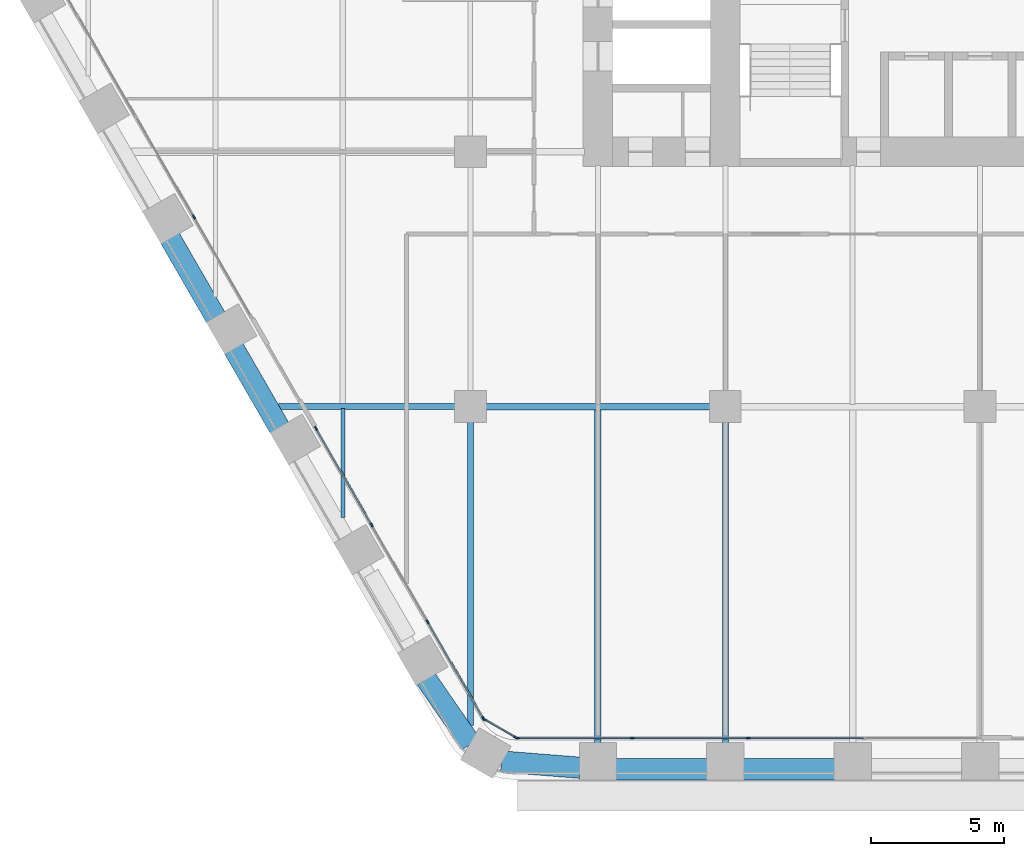
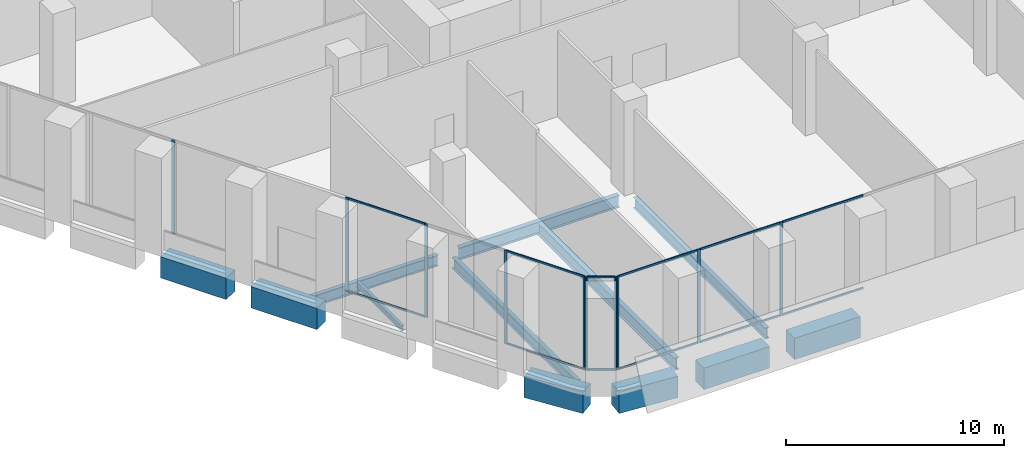
# One storey, part 2 of 27: 22 members, 12 beams, 4 elements without a shape of their own.
"""IFC4 building model written with IfcOpenShell, lengths in metres."""

from ifc_helpers import new_model, si_unit, direction, frame, origin, origin_2d, place, context, subcontext, project, spatial, rectangle, i_section, extrude, material, material_profile, profile_set, type_object, element, aggregate, save


model = new_model("IFC4")

# Units and contexts
model_context = context("Model", 3, precision=1e-05, world=origin(), true_north=direction((0.0, 1.0)))
body_context = subcontext(model_context, "Body", "Model", "MODEL_VIEW")
ifc_project = project(units=[si_unit("LENGTHUNIT", "METRE"), si_unit("AREAUNIT", "SQUARE_METRE"), si_unit("VOLUMEUNIT", "CUBIC_METRE"), si_unit("PLANEANGLEUNIT", "RADIAN"), si_unit("MASSUNIT", "GRAM", prefix="KILO")], contexts=[model_context])

# Site, building, storey
site_placement = place(None, origin())
site = spatial("IfcSite", under=ifc_project, at=site_placement, CompositionType="ELEMENT")
building_placement = place(site_placement, origin())
building = spatial("IfcBuilding", under=site, at=building_placement, Name="Kolab Exchange Tower", CompositionType="ELEMENT")
storey_placement = place(building_placement, frame((0.0, 0.0, 22.39990234375)))
storey = spatial("IfcBuildingStorey", under=building, at=storey_placement, Name="L04", CompositionType="ELEMENT", Elevation=22.39990234375)

# Beams
ifc_material_1 = material(Name="Steel S355", Category="steel")
ifc_material_profile_1 = material_profile(ifc_material_1, i_section(OverallWidth=0.1650390625, OverallDepth=0.31005859375, WebThickness=0.005859375, FlangeThickness=0.009765625, at=origin_2d()), Name="W310X39")
ifc_profile_set_1 = profile_set([ifc_material_profile_1], Name="Steel S355")
beam_type_1 = type_object("IfcBeamType", Name="FLOOR BEAM W310X39", PredefinedType="BEAM", material=ifc_profile_set_1)
beam_1_placement = place(storey_placement, frame((-24.0, -23.381591796875, -0.40478515625), z_axis=(0.0, 1.0, 0.0), x_axis=(-1.0, 0.0, 0.0)))
element("IfcBeam", 1, at=beam_1_placement, inside=storey, type_object=beam_type_1, Name="beam/L04/fr/006", PredefinedType="BEAM", context=body_context, shape_type="SweptSolid", body=[
    extrude(i_section(OverallWidth=0.1650390625, OverallDepth=0.31005859375, WebThickness=0.005859375, FlangeThickness=0.009765625, at=origin_2d()), origin(), (0.0, 0.0, 1.0), 4.107666015625),
])
ifc_material_profile_2 = material_profile(ifc_material_1, i_section(OverallWidth=0.22802734375, OverallDepth=0.60791015625, WebThickness=0.01123046875, FlangeThickness=0.017333984375, at=origin_2d()), Name="W610X113")
ifc_profile_set_2 = profile_set([ifc_material_profile_2], Name="Steel S355")
beam_type_2 = type_object("IfcBeamType", Name="FLOOR BEAM W610X113", PredefinedType="BEAM", material=ifc_profile_set_2)
beam_2_placement = place(storey_placement, frame((-19.199951171875, -31.214599609375, -0.553955078125), z_axis=(0.0, 1.0, 0.0), x_axis=(-1.0, 0.0, 0.0)))
element("IfcBeam", 2, at=beam_2_placement, inside=storey, type_object=beam_type_2, Name="beam/L04/fr/012", PredefinedType="BEAM", context=body_context, shape_type="SweptSolid", body=[
    extrude(i_section(OverallWidth=0.22802734375, OverallDepth=0.60791015625, WebThickness=0.01123046875, FlangeThickness=0.017333984375, at=origin_2d()), origin(), (0.0, 0.0, 1.0), 11.45458984375),
])
beam_3_placement = place(storey_placement, frame((-9.60009765625, -31.8955078125, -0.553955078125), z_axis=(0.0, 1.0, 0.0), x_axis=(-1.0, 0.0, 0.0)))
element("IfcBeam", 3, at=beam_3_placement, inside=storey, type_object=beam_type_2, Name="beam/L04/fr/022", PredefinedType="BEAM", context=body_context, shape_type="SweptSolid", body=[
    extrude(i_section(OverallWidth=0.22802734375, OverallDepth=0.60791015625, WebThickness=0.01123046875, FlangeThickness=0.017333984375, at=origin_2d()), origin(), (0.0, 0.0, 1.0), 12.135498046875),
])
ifc_material_profile_3 = material_profile(ifc_material_1, i_section(OverallWidth=0.25390625, OverallDepth=0.68408203125, WebThickness=0.012451171875, FlangeThickness=0.018798828125, at=origin_2d()), Name="W690X140")
ifc_profile_set_3 = profile_set([ifc_material_profile_3], Name="Steel S355")
beam_type_3 = type_object("IfcBeamType", Name="FLOOR BEAM W690X140", PredefinedType="BEAM", material=ifc_profile_set_3)
beam_4_placement = place(storey_placement, frame((-14.39990234375, -31.8955078125, -0.591796875), z_axis=(0.0, 1.0, 0.0), x_axis=(-1.0, 0.0, 0.0)))
element("IfcBeam", 4, at=beam_4_placement, inside=storey, type_object=beam_type_3, Name="beam/L04/fr/018", PredefinedType="BEAM", context=body_context, shape_type="SweptSolid", body=[
    extrude(i_section(OverallWidth=0.25390625, OverallDepth=0.68408203125, WebThickness=0.012451171875, FlangeThickness=0.018798828125, at=origin_2d()), origin(), (0.0, 0.0, 1.0), 12.6083984375),
])
ifc_material_profile_4 = material_profile(ifc_material_1, i_section(OverallWidth=0.22802734375, OverallDepth=0.60791015625, WebThickness=0.01123046875, FlangeThickness=0.017333984375, at=origin_2d()), Name="W610X113")
ifc_profile_set_4 = profile_set([ifc_material_profile_4], Name="Steel S355")
beam_type_4 = type_object("IfcBeamType", Name="FLOOR GIRDER W610X113", PredefinedType="BEAM", material=ifc_profile_set_4)
beam_5_placement = place(storey_placement, frame((-26.43115234375, -19.199951171875, -0.553955078125), z_axis=(1.0, 0.0, 0.0), x_axis=(0.0, 1.0, 0.0)))
element("IfcBeam", 5, at=beam_5_placement, inside=storey, type_object=beam_type_4, Name="beam/L04/gd/004", PredefinedType="BEAM", context=body_context, shape_type="SweptSolid", body=[
    extrude(i_section(OverallWidth=0.22802734375, OverallDepth=0.60791015625, WebThickness=0.01123046875, FlangeThickness=0.017333984375, at=origin_2d()), origin(), (0.0, 0.0, 1.0), 6.671142578125),
])
ifc_material_profile_5 = material_profile(ifc_material_1, i_section(OverallWidth=0.25390625, OverallDepth=0.68408203125, WebThickness=0.012451171875, FlangeThickness=0.018798828125, at=origin_2d()), Name="W690X140")
ifc_profile_set_5 = profile_set([ifc_material_profile_5], Name="Steel S355")
beam_type_5 = type_object("IfcBeamType", Name="FLOOR GIRDER W690X140", PredefinedType="BEAM", material=ifc_profile_set_5)
beam_6_placement = place(storey_placement, frame((-18.639892578125, -19.199951171875, -0.591796875), z_axis=(1.0, 0.0, 0.0), x_axis=(0.0, 1.0, 0.0)))
element("IfcBeam", 6, at=beam_6_placement, inside=storey, type_object=beam_type_5, Name="beam/L04/gd/006", PredefinedType="BEAM", context=body_context, shape_type="SweptSolid", body=[
    extrude(i_section(OverallWidth=0.25390625, OverallDepth=0.68408203125, WebThickness=0.012451171875, FlangeThickness=0.018798828125, at=origin_2d()), origin(), (0.0, 0.0, 1.0), 8.47998046875),
])
ifc_material_2 = material(Name="Concrete C80/95", Category="concrete")
ifc_material_profile_6 = material_profile(ifc_material_2, rectangle(XDim=0.800048828125, YDim=1.199951171875, at=origin_2d()), Name="RC800X1200")
ifc_profile_set_6 = profile_set([ifc_material_profile_6], Name="Concrete C80/95")
beam_type_6 = type_object("IfcBeamType", Name="SPANDREL BEAM 800X1200 C80/95", PredefinedType="BEAM", material=ifc_profile_set_6)
for number, where, z_axis, x_axis, name in (
    (7, (-5.4599609375, -32.85546875, -0.849853515625), (-1.0, 0.0, 0.0), (0.0, -1.0, 0.0), "beam/L04/sp/F4-06"),
    (8, (-10.260009765625, -32.85546875, -0.849853515625), (-1.0, 0.0, 0.0), (0.0, -1.0, 0.0), "beam/L04/sp/F4-07"),
):
    element("IfcBeam", number, at=place(storey_placement, frame(where, z_axis=z_axis, x_axis=x_axis)), inside=storey, type_object=beam_type_6, Name=name, PredefinedType="BEAM", context=body_context, shape_type="SweptSolid", body=[
        extrude(rectangle(XDim=0.800048828125, YDim=1.199951171875, at=origin_2d()), origin(), (0.0, 0.0, 1.0), 3.47998046875),
    ])
beam_7_placement = place(storey_placement, frame((-15.06005859375, -32.802734375, -0.849853515625), z_axis=(-0.996833978278, 0.07951112973, 0.0), x_axis=(-0.07951112973, -0.996833978278, 0.0)))
element("IfcBeam", 9, at=beam_7_placement, inside=storey, type_object=beam_type_6, Name="beam/L04/sp/F4-08", PredefinedType="BEAM", context=body_context, shape_type="SweptSolid", body=[
    extrude(rectangle(XDim=0.800048828125, YDim=1.199951171875, at=origin_2d()), origin(), (0.0, 0.0, 1.0), 2.984619140625),
])
beam_8_placement = place(storey_placement, frame((-19.18505859375, -31.901611328125, -0.849853515625), z_axis=(-0.567247290755, 0.823547516013, 0.0), x_axis=(-0.823547516013, -0.567247290755, 0.0)))
element("IfcBeam", 10, at=beam_8_placement, inside=storey, type_object=beam_type_6, Name="beam/L04/sp/F5-01", PredefinedType="BEAM", context=body_context, shape_type="SweptSolid", body=[
    extrude(rectangle(XDim=0.800048828125, YDim=1.199951171875, at=origin_2d()), origin(), (0.0, 0.0, 1.0), 2.984375),
])
beam_9_placement = place(storey_placement, frame((-26.383544921875, -20.012939453125, -0.849853515625), z_axis=(-0.500009906705, 0.86601968407, 0.0), x_axis=(-0.86601968407, -0.500009906705, 0.0)))
element("IfcBeam", 11, at=beam_9_placement, inside=storey, type_object=beam_type_6, Name="beam/L04/sp/F5-04", PredefinedType="BEAM", context=body_context, shape_type="SweptSolid", body=[
    extrude(rectangle(XDim=0.800048828125, YDim=1.199951171875, at=origin_2d()), origin(), (0.0, 0.0, 1.0), 3.47998046875),
])
beam_10_placement = place(storey_placement, frame((-28.78369140625, -15.856201171875, -0.849853515625), z_axis=(-0.499979528911, 0.866037222451, 0.0), x_axis=(-0.866037222451, -0.499979528911, 0.0)))
element("IfcBeam", 12, at=beam_10_placement, inside=storey, type_object=beam_type_6, Name="beam/L04/sp/F5-05", PredefinedType="BEAM", context=body_context, shape_type="SweptSolid", body=[
    extrude(rectangle(XDim=0.800048828125, YDim=1.199951171875, at=origin_2d()), origin(), (0.0, 0.0, 1.0), 3.480224609375),
])

# Curtain wall, members
ifc_material_3 = material(Name="Aluminium EN AW-6063 T6", Category="aluminium")
curtain_wall_type = type_object("IfcCurtainWallType", Name="UNITISED LOW ZONE CURTAIN WALL", PredefinedType="NOTDEFINED", material=ifc_material_3)
curtain_wall_1_placement = place(storey_placement, origin())
curtain_wall_1 = element("IfcCurtainWall", 13, at=curtain_wall_1_placement, inside=storey, type_object=curtain_wall_type, Name="cw/L04/F4-2", PredefinedType="NOTDEFINED")
ifc_material_profile_7 = material_profile(ifc_material_3, rectangle(XDim=0.06005859375, YDim=0.159912109375, at=origin_2d()), Name="RECT 60X160")
ifc_profile_set_7 = profile_set([ifc_material_profile_7], Name="Aluminium EN AW-6063 T6")
member_type_1 = type_object("IfcMemberType", Name="UNITISED LOW ZONE MULLION 60 X 160", PredefinedType="MULLION", material=ifc_profile_set_7)
member_1_placement = place(storey_placement, frame((-8.73388671875, -31.67529296875, 0.0), z_axis=(0.0, 0.0, 1.0), x_axis=(0.0, -1.0, 0.0)))
member_1 = element("IfcMember", 14, at=member_1_placement, type_object=member_type_1, Name="CW1 mullion 3", PredefinedType="MULLION", context=body_context, shape_type="SweptSolid", body=[
    extrude(rectangle(XDim=0.06005859375, YDim=0.159912109375, at=origin_2d()), origin(), (0.0, 0.0, 1.0), 5.25),
])
member_2_placement = place(storey_placement, frame((-13.10107421875, -31.67529296875, 0.0), z_axis=(0.0, 0.0, 1.0), x_axis=(0.0, -1.0, 0.0)))
member_2 = element("IfcMember", 15, at=member_2_placement, type_object=member_type_1, Name="CW1 mullion 4", PredefinedType="MULLION", context=body_context, shape_type="SweptSolid", body=[
    extrude(rectangle(XDim=0.06005859375, YDim=0.159912109375, at=origin_2d()), origin(), (0.0, 0.0, 1.0), 5.25),
])
member_3_placement = place(storey_placement, frame((-17.43798828125, -31.67529296875, 0.0), z_axis=(0.0, 0.0, 1.0), x_axis=(0.0, -1.0, 0.0)))
member_3 = element("IfcMember", 16, at=member_3_placement, type_object=member_type_1, Name="CW1 mullion 5", PredefinedType="MULLION", context=body_context, shape_type="SweptSolid", body=[
    extrude(rectangle(XDim=0.06005859375, YDim=0.159912109375, at=origin_2d()), origin(), (0.0, 0.0, 1.0), 5.25),
])

curtain_wall_2_placement = place(storey_placement, origin())
curtain_wall_2 = element("IfcCurtainWall", 17, at=curtain_wall_2_placement, inside=storey, type_object=curtain_wall_type, Name="cw/L04/F5-1", PredefinedType="NOTDEFINED")
member_4_placement = place(storey_placement, frame((-18.712646484375, -30.939453125, 0.0), z_axis=(0.0, 0.0, 1.0), x_axis=(-0.866025393644, -0.500000017564, 0.0)))
member_4 = element("IfcMember", 18, at=member_4_placement, type_object=member_type_1, Name="CW1 mullion 1", PredefinedType="MULLION", context=body_context, shape_type="SweptSolid", body=[
    extrude(rectangle(XDim=0.06005859375, YDim=0.159912109375, at=origin_2d()), origin(), (0.0, 0.0, 1.0), 5.25),
])
member_5_placement = place(storey_placement, frame((-20.80908203125, -27.308349609375, 0.0), z_axis=(0.0, 0.0, 1.0), x_axis=(-0.866025393644, -0.500000017564, 0.0)))
member_5 = element("IfcMember", 19, at=member_5_placement, type_object=member_type_1, Name="CW1 mullion 2", PredefinedType="MULLION", context=body_context, shape_type="SweptSolid", body=[
    extrude(rectangle(XDim=0.06005859375, YDim=0.159912109375, at=origin_2d()), origin(), (0.0, 0.0, 1.0), 5.25),
])
member_6_placement = place(storey_placement, frame((-22.92041015625, -23.651611328125, 0.0), z_axis=(0.0, 0.0, 1.0), x_axis=(-0.866025393644, -0.500000017564, 0.0)))
member_6 = element("IfcMember", 20, at=member_6_placement, type_object=member_type_1, Name="CW1 mullion 3", PredefinedType="MULLION", context=body_context, shape_type="SweptSolid", body=[
    extrude(rectangle(XDim=0.06005859375, YDim=0.159912109375, at=origin_2d()), origin(), (0.0, 0.0, 1.0), 5.25),
])
member_7_placement = place(storey_placement, frame((-25.0166015625, -20.0205078125, 0.0), z_axis=(0.0, 0.0, 1.0), x_axis=(-0.866025393644, -0.500000017564, 0.0)))
member_7 = element("IfcMember", 21, at=member_7_placement, type_object=member_type_1, Name="CW1 mullion 4", PredefinedType="MULLION", context=body_context, shape_type="SweptSolid", body=[
    extrude(rectangle(XDim=0.06005859375, YDim=0.159912109375, at=origin_2d()), origin(), (0.0, 0.0, 1.0), 5.25),
])

# Curtain wall, member
curtain_wall_3_placement = place(storey_placement, origin())
curtain_wall_3 = element("IfcCurtainWall", 22, at=curtain_wall_3_placement, inside=storey, type_object=curtain_wall_type, Name="cw/L04/F5-2", PredefinedType="NOTDEFINED")
member_8_placement = place(storey_placement, frame((-29.615234375, -12.0556640625, 0.0), z_axis=(0.0, 0.0, 1.0), x_axis=(-0.866025422102, -0.499999968274, 0.0)))
member_8 = element("IfcMember", 23, at=member_8_placement, type_object=member_type_1, Name="CW1 mullion 2", PredefinedType="MULLION", context=body_context, shape_type="SweptSolid", body=[
    extrude(rectangle(XDim=0.06005859375, YDim=0.159912109375, at=origin_2d()), origin(), (0.0, 0.0, 1.0), 5.25),
])
aggregate(curtain_wall_3, [member_8])

# Curtain wall, members
curtain_wall_4_placement = place(storey_placement, origin())
curtain_wall_4 = element("IfcCurtainWall", 24, at=curtain_wall_4_placement, inside=storey, type_object=curtain_wall_type, Name="cw/L04/F4F5-corner", PredefinedType="NOTDEFINED")
member_9_placement = place(storey_placement, frame((-17.493896484375, -31.660400390625, 0.0), z_axis=(0.0, 0.0, 1.0), x_axis=(-0.50000002237, -0.866025390869, 0.0)))
member_9 = element("IfcMember", 25, at=member_9_placement, type_object=member_type_1, Name="CW1 mullion 1", PredefinedType="MULLION", context=body_context, shape_type="SweptSolid", body=[
    extrude(rectangle(XDim=0.06005859375, YDim=0.159912109375, at=origin_2d()), origin(), (0.0, 0.0, 1.0), 5.25),
])
member_10_placement = place(storey_placement, frame((-18.671630859375, -30.98046875, 0.0), z_axis=(0.0, 0.0, 1.0), x_axis=(-0.50000002237, -0.866025390869, 0.0)))
member_10 = element("IfcMember", 26, at=member_10_placement, type_object=member_type_1, Name="CW1 mullion 2", PredefinedType="MULLION", context=body_context, shape_type="SweptSolid", body=[
    extrude(rectangle(XDim=0.06005859375, YDim=0.159912109375, at=origin_2d()), origin(), (0.0, 0.0, 1.0), 5.25),
])

# Member
ifc_material_profile_8 = material_profile(ifc_material_3, rectangle(XDim=0.06005859375, YDim=0.10009765625, at=origin_2d()), Name="RECT 60X100")
ifc_profile_set_8 = profile_set([ifc_material_profile_8], Name="Aluminium EN AW-6063 T6")
member_type_2 = type_object("IfcMemberType", Name="UNITISED LOW ZONE TRANSOM 60 X 100", PredefinedType="USERDEFINED", material=ifc_profile_set_8)
member_11_placement = place(storey_placement, frame((-4.39697265625, -31.67529296875, 0.030029296875), z_axis=(-1.0, 0.0, 0.0), x_axis=(0.0, -1.0, 0.0)))
member_11 = element("IfcMember", 27, at=member_11_placement, type_object=member_type_2, Name="CW1 transom 2.1", ObjectType="TRANSOM", PredefinedType="USERDEFINED", context=body_context, shape_type="SweptSolid", body=[
    extrude(rectangle(XDim=0.06005859375, YDim=0.10009765625, at=origin_2d()), origin(), (0.0, 0.0, 1.0), 4.306884765625),
])

member_12_placement = place(storey_placement, frame((-4.39697265625, -31.67529296875, 5.22021484375), z_axis=(-1.0, 0.0, 0.0), x_axis=(0.0, -1.0, 0.0)))
member_12 = element("IfcMember", 28, at=member_12_placement, type_object=member_type_2, Name="CW1 transom 2.2", ObjectType="TRANSOM", PredefinedType="USERDEFINED", context=body_context, shape_type="SweptSolid", body=[
    extrude(rectangle(XDim=0.06005859375, YDim=0.10009765625, at=origin_2d()), origin(), (0.0, 0.0, 1.0), 4.306884765625),
])

member_13_placement = place(storey_placement, frame((-8.763916015625, -31.67529296875, 0.030029296875), z_axis=(-1.0, 0.0, 0.0), x_axis=(0.0, -1.0, 0.0)))
member_13 = element("IfcMember", 29, at=member_13_placement, type_object=member_type_2, Name="CW1 transom 3.1", ObjectType="TRANSOM", PredefinedType="USERDEFINED", context=body_context, shape_type="SweptSolid", body=[
    extrude(rectangle(XDim=0.06005859375, YDim=0.10009765625, at=origin_2d()), origin(), (0.0, 0.0, 1.0), 4.30712890625),
])

member_14_placement = place(storey_placement, frame((-8.763916015625, -31.67529296875, 5.22021484375), z_axis=(-1.0, 0.0, 0.0), x_axis=(0.0, -1.0, 0.0)))
member_14 = element("IfcMember", 30, at=member_14_placement, type_object=member_type_2, Name="CW1 transom 3.2", ObjectType="TRANSOM", PredefinedType="USERDEFINED", context=body_context, shape_type="SweptSolid", body=[
    extrude(rectangle(XDim=0.06005859375, YDim=0.10009765625, at=origin_2d()), origin(), (0.0, 0.0, 1.0), 4.30712890625),
])

member_15_placement = place(storey_placement, frame((-13.130859375, -31.67529296875, 0.030029296875), z_axis=(-1.0, 0.0, 0.0), x_axis=(0.0, -1.0, 0.0)))
member_15 = element("IfcMember", 31, at=member_15_placement, type_object=member_type_2, Name="CW1 transom 4.1", ObjectType="TRANSOM", PredefinedType="USERDEFINED", context=body_context, shape_type="SweptSolid", body=[
    extrude(rectangle(XDim=0.06005859375, YDim=0.10009765625, at=origin_2d()), origin(), (0.0, 0.0, 1.0), 4.277099609375),
])

member_16_placement = place(storey_placement, frame((-13.130859375, -31.67529296875, 5.22021484375), z_axis=(-1.0, 0.0, 0.0), x_axis=(0.0, -1.0, 0.0)))
member_16 = element("IfcMember", 32, at=member_16_placement, type_object=member_type_2, Name="CW1 transom 4.2", ObjectType="TRANSOM", PredefinedType="USERDEFINED", context=body_context, shape_type="SweptSolid", body=[
    extrude(rectangle(XDim=0.06005859375, YDim=0.10009765625, at=origin_2d()), origin(), (0.0, 0.0, 1.0), 4.277099609375),
])

aggregate(curtain_wall_1, [member_1, member_2, member_3, member_11, member_12, member_13, member_14, member_15, member_16])

member_17_placement = place(storey_placement, frame((-18.727783203125, -30.913330078125, 0.030029296875), z_axis=(-0.499983268986, 0.866035063224, 0.0), x_axis=(-0.866035063224, -0.499983268986, 0.0)))
member_17 = element("IfcMember", 33, at=member_17_placement, type_object=member_type_2, Name="CW1 transom 1.1", ObjectType="TRANSOM", PredefinedType="USERDEFINED", context=body_context, shape_type="SweptSolid", body=[
    extrude(rectangle(XDim=0.06005859375, YDim=0.10009765625, at=origin_2d()), origin(), (0.0, 0.0, 1.0), 4.132568359375),
])

member_18_placement = place(storey_placement, frame((-18.727783203125, -30.913330078125, 5.22021484375), z_axis=(-0.499983268986, 0.866035063224, 0.0), x_axis=(-0.866035063224, -0.499983268986, 0.0)))
member_18 = element("IfcMember", 34, at=member_18_placement, type_object=member_type_2, Name="CW1 transom 1.2", ObjectType="TRANSOM", PredefinedType="USERDEFINED", context=body_context, shape_type="SweptSolid", body=[
    extrude(rectangle(XDim=0.06005859375, YDim=0.10009765625, at=origin_2d()), origin(), (0.0, 0.0, 1.0), 4.132568359375),
])

member_19_placement = place(storey_placement, frame((-22.935302734375, -23.62548828125, 0.030029296875), z_axis=(-0.500027577057, 0.866009481578, 0.0), x_axis=(-0.866009481578, -0.500027577057, 0.0)))
member_19 = element("IfcMember", 35, at=member_19_placement, type_object=member_type_2, Name="CW1 transom 3.1", ObjectType="TRANSOM", PredefinedType="USERDEFINED", context=body_context, shape_type="SweptSolid", body=[
    extrude(rectangle(XDim=0.06005859375, YDim=0.10009765625, at=origin_2d()), origin(), (0.0, 0.0, 1.0), 4.132568359375),
])

member_20_placement = place(storey_placement, frame((-22.935302734375, -23.62548828125, 5.22021484375), z_axis=(-0.500027577057, 0.866009481578, 0.0), x_axis=(-0.866009481578, -0.500027577057, 0.0)))
member_20 = element("IfcMember", 36, at=member_20_placement, type_object=member_type_2, Name="CW1 transom 3.2", ObjectType="TRANSOM", PredefinedType="USERDEFINED", context=body_context, shape_type="SweptSolid", body=[
    extrude(rectangle(XDim=0.06005859375, YDim=0.10009765625, at=origin_2d()), origin(), (0.0, 0.0, 1.0), 4.132568359375),
])

aggregate(curtain_wall_2, [member_4, member_5, member_6, member_7, member_17, member_18, member_19, member_20])

member_21_placement = place(storey_placement, frame((-17.52001953125, -31.645263671875, 0.030029296875), z_axis=(-0.86603858612, 0.49997716683, 0.0), x_axis=(-0.49997716683, -0.86603858612, 0.0)))
member_21 = element("IfcMember", 37, at=member_21_placement, type_object=member_type_2, Name="CW1 transom 1.1", ObjectType="TRANSOM", PredefinedType="USERDEFINED", context=body_context, shape_type="SweptSolid", body=[
    extrude(rectangle(XDim=0.06005859375, YDim=0.10009765625, at=origin_2d()), origin(), (0.0, 0.0, 1.0), 1.2998046875),
])

member_22_placement = place(storey_placement, frame((-17.52001953125, -31.645263671875, 5.22021484375), z_axis=(-0.86603858612, 0.49997716683, 0.0), x_axis=(-0.49997716683, -0.86603858612, 0.0)))
member_22 = element("IfcMember", 38, at=member_22_placement, type_object=member_type_2, Name="CW1 transom 1.2", ObjectType="TRANSOM", PredefinedType="USERDEFINED", context=body_context, shape_type="SweptSolid", body=[
    extrude(rectangle(XDim=0.06005859375, YDim=0.10009765625, at=origin_2d()), origin(), (0.0, 0.0, 1.0), 1.2998046875),
])

aggregate(curtain_wall_4, [member_9, member_10, member_21, member_22])

save(model, "model.ifc")
